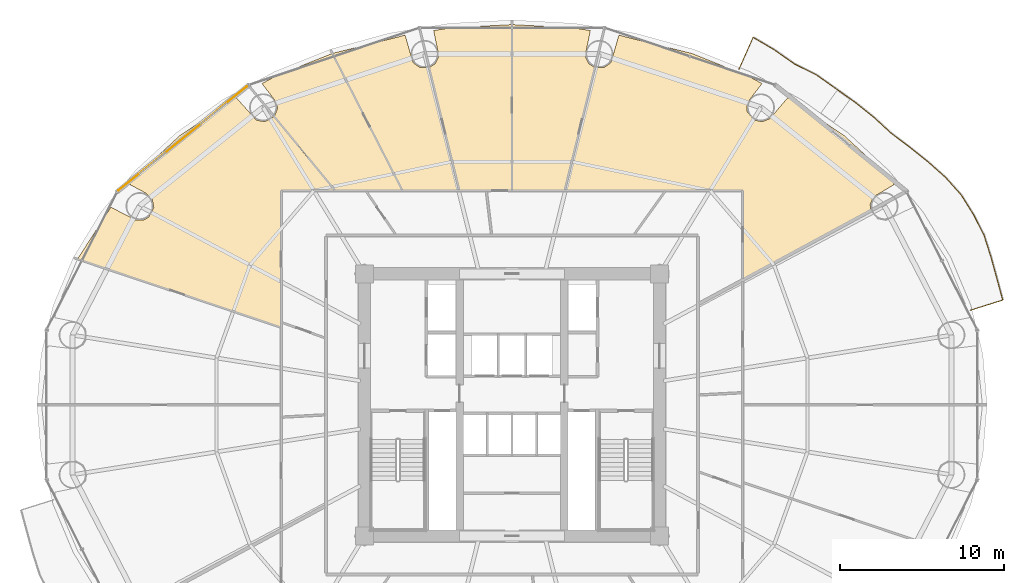
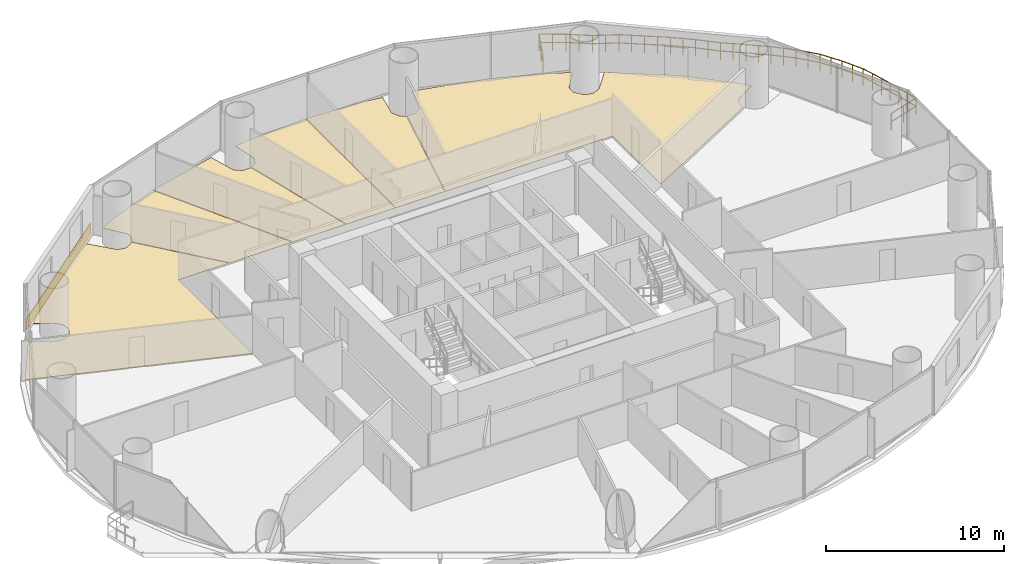
# One storey, part 30 of 30: 7 coverings, 1 railing.
"""IFC4 building model written with IfcOpenShell, lengths in metres."""

import ifcopenshell
import ifcopenshell.guid

model = None  # the IFC model being written
_history = None  # IfcOwnerHistory: only IFC2X3 demands one
_inside = {}  # id of a spatial element -> (the spatial element, [elements in it])
_under = {}  # id of a project, library or spatial element -> (it, [spatial elements below it])
_declared = {}  # id of a project -> (the project, [libraries it declares])
_typed = {}  # id of a type object -> (the type object, [elements of that type])
_made_of = {}  # id of a material, layer set ... -> (it, [elements and type objects made of it])


def new_model(schema):
    """Start an empty IFC model of exactly this schema.

    Asked for "IFC4X3", IfcOpenShell would pick the latest addendum, in which some entities
    have other attributes; the version numbers below select the first issue.
    IFC2X3 requires an IfcOwnerHistory on every rooted entity: one is made here for all.
    """
    global model, _history
    if schema == "IFC4X3":
        model = ifcopenshell.file(schema_version=(4, 3, 0, 0))
    else:
        model = ifcopenshell.file(schema=schema)
    _inside.clear()
    _under.clear()
    _declared.clear()
    _typed.clear()
    _made_of.clear()
    _history = None
    if model.schema == "IFC2X3":
        org = make("IfcOrganization", Name="unknown")
        user = make(
            "IfcPersonAndOrganization",
            ThePerson=make("IfcPerson", FamilyName="unknown"),
            TheOrganization=org,
        )
        app = make(
            "IfcApplication",
            ApplicationDeveloper=org,
            Version="unknown",
            ApplicationFullName="unknown",
            ApplicationIdentifier="unknown",
        )
        _history = make(
            "IfcOwnerHistory",
            OwningUser=user,
            OwningApplication=app,
            ChangeAction="ADDED",
            CreationDate=0,
        )
    return model


def make(cls, **values):
    """One entity of the class cls with the attributes given. An attribute that is None is left unset."""
    return model.create_entity(
        cls, **{name: value for name, value in values.items() if value is not None}
    )


def rooted(cls, **values):
    """An entity with a GlobalId (a new one), such as an element, a storey or a relation."""
    return make(cls, GlobalId=ifcopenshell.guid.new(), OwnerHistory=_history, **values)


def si_unit(unit_type, name, prefix=None):
    """IfcSIUnit, for example si_unit("LENGTHUNIT", "METRE", prefix="MILLI")."""
    return make("IfcSIUnit", UnitType=unit_type, Prefix=prefix, Name=name)


def assignment(units):
    """IfcUnitAssignment: the units of a project."""
    return None if units is None else make("IfcUnitAssignment", Units=units)


def point(xyz):
    """IfcCartesianPoint."""
    return None if xyz is None else make("IfcCartesianPoint", Coordinates=xyz)


def direction(xyz):
    """IfcDirection."""
    return None if xyz is None else make("IfcDirection", DirectionRatios=xyz)


def frame(location, z_axis=None, x_axis=None):
    """IfcAxis2Placement3D, a coordinate frame: its origin and axes. An axis left out is left unset."""
    return make(
        "IfcAxis2Placement3D",
        Location=point(location),
        Axis=direction(z_axis),
        RefDirection=direction(x_axis),
    )


def frame_2d(location, x_axis=None):
    """IfcAxis2Placement2D, a coordinate frame in the plane: its origin and x axis."""
    return make(
        "IfcAxis2Placement2D", Location=point(location), RefDirection=direction(x_axis)
    )


def origin():
    """The frame at (0, 0, 0) with its axes left unset."""
    return frame((0.0, 0.0, 0.0))


def origin_2d():
    """The frame at (0, 0) in the plane with its x axis left unset."""
    return frame_2d((0.0, 0.0))


def place(relative_to, where):
    """IfcLocalPlacement: puts the frame where relative to a parent placement (None: the world)."""
    return make(
        "IfcLocalPlacement", PlacementRelTo=relative_to, RelativePlacement=where
    )


def context(
    kind, dimensions, precision=None, world=None, true_north=None, identifier=None
):
    """IfcGeometricRepresentationContext, for example the 3D "Model" context."""
    return make(
        "IfcGeometricRepresentationContext",
        ContextIdentifier=identifier,
        ContextType=kind,
        CoordinateSpaceDimension=dimensions,
        Precision=precision,
        WorldCoordinateSystem=world,
        TrueNorth=true_north,
    )


def subcontext(parent, identifier, kind, view, scale=None):
    """IfcGeometricRepresentationSubContext, for example "Body" below "Model"."""
    return make(
        "IfcGeometricRepresentationSubContext",
        ContextIdentifier=identifier,
        ContextType=kind,
        ParentContext=parent,
        TargetScale=scale,
        TargetView=view,
    )


def project(units=None, contexts=None):
    """IfcProject with its units and contexts."""
    return rooted(
        "IfcProject",
        Name="project",
        RepresentationContexts=contexts,
        UnitsInContext=assignment(units),
    )


def spatial(cls, under=None, at=None, **own):
    """A site, building, storey or space (cls), placed at a placement, below another one or the project."""
    s = rooted(cls, ObjectPlacement=at, **own)
    if under is not None:
        _under.setdefault(under.id(), (under, []))[1].append(s)
    return s


def polyline(points):
    """IfcPolyline through the points."""
    return make("IfcPolyline", Points=[point(p) for p in points])


def profile(cls, at=None, kind="AREA", **sizes):
    """A parametric profile (cls). Its sizes go by their IFC names, for example OverallWidth=200.0."""
    return make(cls, ProfileType=kind, Position=at, **sizes)


def rectangle(**sizes):
    """IfcRectangleProfileDef."""
    return profile("IfcRectangleProfileDef", **sizes)


def outline(outer, holes=None, kind="AREA"):
    """IfcArbitraryClosedProfileDef: a profile drawn as a closed curve; with holes, ...WithVoids."""
    if holes is None:
        return make("IfcArbitraryClosedProfileDef", ProfileType=kind, OuterCurve=outer)
    return make(
        "IfcArbitraryProfileDefWithVoids",
        ProfileType=kind,
        OuterCurve=outer,
        InnerCurves=holes,
    )


def extrude(swept, where, along, depth):
    """IfcExtrudedAreaSolid: the profile swept, set in the frame where, extruded along a direction by depth."""
    return make(
        "IfcExtrudedAreaSolid",
        SweptArea=swept,
        Position=where,
        ExtrudedDirection=direction(along),
        Depth=depth,
    )


def shape(context_of_items, identifier, shape_type, items):
    """IfcShapeRepresentation: the items that make up one representation, for example the "Body"."""
    return make(
        "IfcShapeRepresentation",
        ContextOfItems=context_of_items,
        RepresentationIdentifier=identifier,
        RepresentationType=shape_type,
        Items=items,
    )


def source(mapping_origin, context_of_items, identifier, shape_type, items):
    """IfcRepresentationMap: a shape defined once, which mapped items show again and again."""
    return make(
        "IfcRepresentationMap",
        MappingOrigin=mapping_origin,
        MappedRepresentation=shape(context_of_items, identifier, shape_type, items),
    )


def transform(
    local_origin,
    x_axis=None,
    y_axis=None,
    z_axis=None,
    scale=None,
    scale2=None,
    scale3=None,
    uniform=True,
):
    """IfcCartesianTransformationOperator3D, or its non-uniform kind. x_axis, y_axis, z_axis: its Axis1, 2, 3."""
    if uniform:
        return make(
            "IfcCartesianTransformationOperator3D",
            Axis1=direction(x_axis),
            Axis2=direction(y_axis),
            LocalOrigin=point(local_origin),
            Scale=scale,
            Axis3=direction(z_axis),
        )
    return make(
        "IfcCartesianTransformationOperator3DnonUniform",
        Axis1=direction(x_axis),
        Axis2=direction(y_axis),
        LocalOrigin=point(local_origin),
        Scale=scale,
        Axis3=direction(z_axis),
        Scale2=scale2,
        Scale3=scale3,
    )


def mapped(mapping_source, mapping_target):
    """IfcMappedItem: shows the shape of a source again, moved by a transform."""
    return make(
        "IfcMappedItem", MappingSource=mapping_source, MappingTarget=mapping_target
    )


def material(Name=None, Category=None):
    """IfcMaterial."""
    return make("IfcMaterial", Name=Name, Category=Category)


def layer(
    of_material, thickness, ventilated=None, Name=None, Category=None, Priority=None
):
    """IfcMaterialLayer: one layer of a wall or slab, of a material (None: an air gap)."""
    return make(
        "IfcMaterialLayer",
        Material=of_material,
        LayerThickness=thickness,
        IsVentilated=ventilated,
        Name=Name,
        Category=Category,
        Priority=Priority,
    )


def layer_set(layers, Name=None):
    """IfcMaterialLayerSet."""
    return make("IfcMaterialLayerSet", MaterialLayers=layers, LayerSetName=Name)


def made_of(thing, what):
    """Note that an element or type object is made of a material, layer set ...; save() writes the relation."""
    if what is not None:
        _made_of.setdefault(what.id(), (what, []))[1].append(thing)
    return thing


def type_object(cls, material=None, **own):
    """A type object (cls), such as IfcWallType, which elements share."""
    return made_of(rooted(cls, **own), material)


def element(
    cls,
    number,
    at=None,
    inside=None,
    cuts=None,
    type_object=None,
    material=None,
    context=None,
    identifier="Body",
    shape_type=None,
    held_by="IfcProductDefinitionShape",
    body=None,
    shapes=None,
    **own,
):
    """One element of the class cls, such as IfcWall. Its Tag is "e" and its number.

    at: its placement. inside: the storey or other place that contains it. cuts: it is an
    opening in that element (IfcRelVoidsElement). A single representation is given by context,
    identifier, shape_type and body (its items); several are given by shapes. held_by: the class
    of the entity that holds the representations. save() writes the other relations.
    """
    e = rooted(cls, Tag="e%d" % number, ObjectPlacement=at, **own)
    if body is not None:
        shapes = [shape(context, identifier, shape_type, body)]
    if shapes is not None:
        e.Representation = make(held_by, Representations=shapes)
    if inside is not None:
        _inside.setdefault(inside.id(), (inside, []))[1].append(e)
    if cuts is not None:
        rooted(
            "IfcRelVoidsElement", RelatingBuildingElement=cuts, RelatedOpeningElement=e
        )
    if type_object is not None:
        _typed.setdefault(type_object.id(), (type_object, []))[1].append(e)
    return made_of(e, material)


def aggregate(whole, parts):
    """IfcRelAggregates: a whole, such as a stair, and the parts it consists of."""
    return rooted("IfcRelAggregates", RelatingObject=whole, RelatedObjects=parts)


def save(model, path):
    """Write the relations noted so far, then the file.

    IfcRelAggregates (storeys below a building ...), IfcRelContainedInSpatialStructure (elements
    in a storey), IfcRelDefinesByType, IfcRelAssociatesMaterial and IfcRelDeclares: one each for
    every whole, place, type object, material and project.
    """
    for whole, parts in _under.values():
        aggregate(whole, parts)
    for where, things in _inside.values():
        rooted(
            "IfcRelContainedInSpatialStructure",
            RelatedElements=things,
            RelatingStructure=where,
        )
    for kind, things in _typed.values():
        rooted("IfcRelDefinesByType", RelatedObjects=things, RelatingType=kind)
    for what, things in _made_of.values():
        rooted("IfcRelAssociatesMaterial", RelatedObjects=things, RelatingMaterial=what)
    for by, libraries in _declared.values():
        rooted("IfcRelDeclares", RelatingContext=by, RelatedDefinitions=libraries)
    model.write(path)


model = new_model("IFC4")

# Units and contexts
model_context = context("Model", 3, precision=1e-05, world=origin(), true_north=direction((-0.2419218956, 0.970295726276)))
body_context = subcontext(model_context, "Body", "Model", "MODEL_VIEW")
ifc_project = project(units=[si_unit("LENGTHUNIT", "METRE"), si_unit("AREAUNIT", "SQUARE_METRE"), si_unit("VOLUMEUNIT", "CUBIC_METRE"), si_unit("PLANEANGLEUNIT", "RADIAN"), si_unit("MASSUNIT", "GRAM", prefix="KILO")], contexts=[model_context])

# Site, building, storey
site_placement = place(None, origin())
site = spatial("IfcSite", under=ifc_project, at=site_placement, CompositionType="ELEMENT")
building_placement = place(site_placement, origin())
building = spatial("IfcBuilding", under=site, at=building_placement, Name="Cobrevalo Terracotta Tower", CompositionType="ELEMENT")
storey_placement = place(building_placement, frame((0.0, 0.0, 60.0)))
storey = spatial("IfcBuildingStorey", under=building, at=storey_placement, Name="L15", CompositionType="ELEMENT", Elevation=60.0)

# Railing
ifc_material_1 = material(Name="Laminated structural glass and stainless steel", Category="steel")
railing_type = type_object("IfcRailingType", Name="Balcony lobe structural glass & terracotta-cap balustrade 1180 mm", PredefinedType="BALUSTRADE", material=ifc_material_1)
railing_placement = place(storey_placement, frame((65.992919921875, 32.581787109375, 0.0)))
element("IfcRailing", 1, at=railing_placement, inside=storey, type_object=railing_type, Name="L15 spiralling balcony lobe balustrade 1", PredefinedType="BALUSTRADE", context=body_context, shape_type="SweptSolid", body=[
    extrude(rectangle(XDim=0.048095703125, YDim=0.048095703125, at=origin_2d()), frame((0.0, 0.0, 1.15576171875), z_axis=(0.954027609324, 0.299718735898, 0.0), x_axis=(-0.299718735898, 0.954027609324, 0.0)), (0.0, 0.0, 1.0), 2.06005859375),
    extrude(rectangle(XDim=0.048095703125, YDim=0.048095703125, at=origin_2d()), frame((0.0, 0.0, 0.58984375), z_axis=(0.954027609324, 0.299718735898, 0.0), x_axis=(-0.299718735898, 0.954027609324, 0.0)), (0.0, 0.0, 1.0), 2.06005859375),
    extrude(rectangle(XDim=0.048095703125, YDim=0.048095703125, at=origin_2d()), frame((1.96533203125, 0.617431640625, 1.15576171875), z_axis=(-0.260147670261, 0.965568842526, 0.0), x_axis=(-0.965568842526, -0.260147670261, 0.0)), (0.0, 0.0, 1.0), 1.35693359375),
    extrude(rectangle(XDim=0.048095703125, YDim=0.048095703125, at=origin_2d()), frame((1.96533203125, 0.617431640625, 0.58984375), z_axis=(-0.260147670261, 0.965568842526, 0.0), x_axis=(-0.965568842526, -0.260147670261, 0.0)), (0.0, 0.0, 1.0), 1.35693359375),
    extrude(rectangle(XDim=0.048095703125, YDim=0.048095703125, at=origin_2d()), frame((1.6123046875, 1.927734375, 1.15576171875), z_axis=(-0.265452617537, 0.964123906893, 0.0), x_axis=(-0.964123906893, -0.265452617537, 0.0)), (0.0, 0.0, 1.0), 1.379638671875),
    extrude(rectangle(XDim=0.048095703125, YDim=0.048095703125, at=origin_2d()), frame((1.6123046875, 1.927734375, 0.58984375), z_axis=(-0.265452617537, 0.964123906893, 0.0), x_axis=(-0.964123906893, -0.265452617537, 0.0)), (0.0, 0.0, 1.0), 1.379638671875),
    extrude(rectangle(XDim=0.048095703125, YDim=0.048095703125, at=origin_2d()), frame((1.24609375, 3.2578125, 1.15576171875), z_axis=(-0.303543235767, 0.952817665674, 0.0), x_axis=(-0.952817665674, -0.303543235767, 0.0)), (0.0, 0.0, 1.0), 1.394775390625),
    extrude(rectangle(XDim=0.048095703125, YDim=0.048095703125, at=origin_2d()), frame((1.24609375, 3.2578125, 0.58984375), z_axis=(-0.303543235767, 0.952817665674, 0.0), x_axis=(-0.952817665674, -0.303543235767, 0.0)), (0.0, 0.0, 1.0), 1.394775390625),
    extrude(rectangle(XDim=0.048095703125, YDim=0.048095703125, at=origin_2d()), frame((0.82275390625, 4.586669921875, 1.15576171875), z_axis=(-0.456538067647, 0.889703879271, 0.0), x_axis=(-0.889703879271, -0.456538067647, 0.0)), (0.0, 0.0, 1.0), 1.41015625),
    extrude(rectangle(XDim=0.048095703125, YDim=0.048095703125, at=origin_2d()), frame((0.82275390625, 4.586669921875, 0.58984375), z_axis=(-0.456538067647, 0.889703879271, 0.0), x_axis=(-0.889703879271, -0.456538067647, 0.0)), (0.0, 0.0, 1.0), 1.41015625),
    extrude(rectangle(XDim=0.048095703125, YDim=0.048095703125, at=origin_2d()), frame((0.178955078125, 5.84130859375, 1.15576171875), z_axis=(-0.529017647182, 0.848610823034, 0.0), x_axis=(-0.848610823034, -0.529017647182, 0.0)), (0.0, 0.0, 1.0), 1.409423828125),
    extrude(rectangle(XDim=0.048095703125, YDim=0.048095703125, at=origin_2d()), frame((0.178955078125, 5.84130859375, 0.58984375), z_axis=(-0.529017647182, 0.848610823034, 0.0), x_axis=(-0.848610823034, -0.529017647182, 0.0)), (0.0, 0.0, 1.0), 1.409423828125),
    extrude(rectangle(XDim=0.048095703125, YDim=0.048095703125, at=origin_2d()), frame((-0.566650390625, 7.037353515625, 1.15576171875), z_axis=(-0.666535107787, 0.745473641444, 0.0), x_axis=(-0.745473641444, -0.666535107787, 0.0)), (0.0, 0.0, 1.0), 1.428955078125),
    extrude(rectangle(XDim=0.048095703125, YDim=0.048095703125, at=origin_2d()), frame((-0.566650390625, 7.037353515625, 0.58984375), z_axis=(-0.666535107787, 0.745473641444, 0.0), x_axis=(-0.745473641444, -0.666535107787, 0.0)), (0.0, 0.0, 1.0), 1.428955078125),
    extrude(rectangle(XDim=0.048095703125, YDim=0.048095703125, at=origin_2d()), frame((-1.51904296875, 8.1025390625, 1.15576171875), z_axis=(-0.746886054344, 0.664952044756, 0.0), x_axis=(-0.664952044756, -0.746886054344, 0.0)), (0.0, 0.0, 1.0), 1.442138671875),
    extrude(rectangle(XDim=0.048095703125, YDim=0.048095703125, at=origin_2d()), frame((-1.51904296875, 8.1025390625, 0.58984375), z_axis=(-0.746886054344, 0.664952044756, 0.0), x_axis=(-0.664952044756, -0.746886054344, 0.0)), (0.0, 0.0, 1.0), 1.442138671875),
    extrude(rectangle(XDim=0.048095703125, YDim=0.048095703125, at=origin_2d()), frame((-2.59619140625, 9.0615234375, 1.15576171875), z_axis=(-0.78115234756, 0.624340459926, 0.0), x_axis=(-0.624340459926, -0.78115234756, 0.0)), (0.0, 0.0, 1.0), 1.427734375),
    extrude(rectangle(XDim=0.048095703125, YDim=0.048095703125, at=origin_2d()), frame((-2.59619140625, 9.0615234375, 0.58984375), z_axis=(-0.78115234756, 0.624340459926, 0.0), x_axis=(-0.624340459926, -0.78115234756, 0.0)), (0.0, 0.0, 1.0), 1.427734375),
    extrude(rectangle(XDim=0.048095703125, YDim=0.048095703125, at=origin_2d()), frame((-3.71142578125, 9.952880859375, 1.15576171875), z_axis=(-0.797903497933, 0.602785208831, 0.0), x_axis=(-0.602785208831, -0.797903497933, 0.0)), (0.0, 0.0, 1.0), 1.442626953125),
    extrude(rectangle(XDim=0.048095703125, YDim=0.048095703125, at=origin_2d()), frame((-3.71142578125, 9.952880859375, 0.58984375), z_axis=(-0.797903497933, 0.602785208831, 0.0), x_axis=(-0.602785208831, -0.797903497933, 0.0)), (0.0, 0.0, 1.0), 1.442626953125),
    extrude(rectangle(XDim=0.048095703125, YDim=0.048095703125, at=origin_2d()), frame((-4.862548828125, 10.822509765625, 1.15576171875), z_axis=(-0.735558589309, 0.677461114525, 0.0), x_axis=(-0.677461114525, -0.735558589309, 0.0)), (0.0, 0.0, 1.0), 1.424560546875),
    extrude(rectangle(XDim=0.048095703125, YDim=0.048095703125, at=origin_2d()), frame((-4.862548828125, 10.822509765625, 0.58984375), z_axis=(-0.735558589309, 0.677461114525, 0.0), x_axis=(-0.677461114525, -0.735558589309, 0.0)), (0.0, 0.0, 1.0), 1.424560546875),
    extrude(rectangle(XDim=0.048095703125, YDim=0.048095703125, at=origin_2d()), frame((-5.910400390625, 11.78759765625, 1.15576171875), z_axis=(-0.781083793107, 0.624426223141, 0.0), x_axis=(-0.624426223141, -0.781083793107, 0.0)), (0.0, 0.0, 1.0), 1.43994140625),
    extrude(rectangle(XDim=0.048095703125, YDim=0.048095703125, at=origin_2d()), frame((-5.910400390625, 11.78759765625, 0.58984375), z_axis=(-0.781083793107, 0.624426223141, 0.0), x_axis=(-0.624426223141, -0.781083793107, 0.0)), (0.0, 0.0, 1.0), 1.43994140625),
    extrude(rectangle(XDim=0.048095703125, YDim=0.048095703125, at=origin_2d()), frame((-7.03515625, 12.686767578125, 1.15576171875), z_axis=(-0.815022146155, 0.579429807032, 0.0), x_axis=(-0.579429807032, -0.815022146155, 0.0)), (0.0, 0.0, 1.0), 1.45703125),
    extrude(rectangle(XDim=0.048095703125, YDim=0.048095703125, at=origin_2d()), frame((-7.03515625, 12.686767578125, 0.58984375), z_axis=(-0.815022146155, 0.579429807032, 0.0), x_axis=(-0.579429807032, -0.815022146155, 0.0)), (0.0, 0.0, 1.0), 1.45703125),
    extrude(rectangle(XDim=0.048095703125, YDim=0.048095703125, at=origin_2d()), frame((-8.22265625, 13.531005859375, 1.15576171875), z_axis=(-0.816749265381, 0.57699275342, 0.0), x_axis=(-0.57699275342, -0.816749265381, 0.0)), (0.0, 0.0, 1.0), 1.455078125),
    extrude(rectangle(XDim=0.048095703125, YDim=0.048095703125, at=origin_2d()), frame((-8.22265625, 13.531005859375, 0.58984375), z_axis=(-0.816749265381, 0.57699275342, 0.0), x_axis=(-0.57699275342, -0.816749265381, 0.0)), (0.0, 0.0, 1.0), 1.455078125),
    extrude(rectangle(XDim=0.048095703125, YDim=0.048095703125, at=origin_2d()), frame((-9.4111328125, 14.37060546875, 1.15576171875), z_axis=(-0.895343271296, 0.445376724297, 0.0), x_axis=(-0.445376724297, -0.895343271296, 0.0)), (0.0, 0.0, 1.0), 1.4892578125),
    extrude(rectangle(XDim=0.048095703125, YDim=0.048095703125, at=origin_2d()), frame((-9.4111328125, 14.37060546875, 0.58984375), z_axis=(-0.895343271296, 0.445376724297, 0.0), x_axis=(-0.445376724297, -0.895343271296, 0.0)), (0.0, 0.0, 1.0), 1.4892578125),
    extrude(rectangle(XDim=0.048095703125, YDim=0.048095703125, at=origin_2d()), frame((-10.74462890625, 15.033935546875, 1.15576171875), z_axis=(-0.81819790727, 0.574936678721, 0.0), x_axis=(-0.574936678721, -0.81819790727, 0.0)), (0.0, 0.0, 1.0), 1.49951171875),
    extrude(rectangle(XDim=0.048095703125, YDim=0.048095703125, at=origin_2d()), frame((-10.74462890625, 15.033935546875, 0.58984375), z_axis=(-0.81819790727, 0.574936678721, 0.0), x_axis=(-0.574936678721, -0.81819790727, 0.0)), (0.0, 0.0, 1.0), 1.49951171875),
    extrude(rectangle(XDim=0.048095703125, YDim=0.048095703125, at=origin_2d()), frame((-11.971435546875, 15.89599609375, 1.15576171875), z_axis=(-0.862515497431, 0.506030647977, 0.0), x_axis=(-0.506030647977, -0.862515497431, 0.0)), (0.0, 0.0, 1.0), 1.510009765625),
    extrude(rectangle(XDim=0.048095703125, YDim=0.048095703125, at=origin_2d()), frame((-11.971435546875, 15.89599609375, 0.58984375), z_axis=(-0.862515497431, 0.506030647977, 0.0), x_axis=(-0.506030647977, -0.862515497431, 0.0)), (0.0, 0.0, 1.0), 1.510009765625),
    extrude(rectangle(XDim=0.048095703125, YDim=0.048095703125, at=origin_2d()), frame((-13.27392578125, 16.66015625, 1.15576171875), z_axis=(-0.406063391556, -0.91384491137, 0.0), x_axis=(0.91384491137, -0.406063391556, 0.0)), (0.0, 0.0, 1.0), 2.112060546875),
    extrude(rectangle(XDim=0.048095703125, YDim=0.048095703125, at=origin_2d()), frame((-13.27392578125, 16.66015625, 0.58984375), z_axis=(-0.406063391556, -0.91384491137, 0.0), x_axis=(0.91384491137, -0.406063391556, 0.0)), (0.0, 0.0, 1.0), 2.112060546875),
    extrude(rectangle(XDim=0.0419921875, YDim=0.0419921875, at=origin_2d()), origin(), (0.0, 0.0, 1.0), 1.1318359375),
    extrude(rectangle(XDim=0.0419921875, YDim=0.0419921875, at=origin_2d()), frame((0.982666015625, 0.30859375, 0.0)), (0.0, 0.0, 1.0), 1.1318359375),
    extrude(rectangle(XDim=0.0419921875, YDim=0.0419921875, at=origin_2d()), frame((1.96533203125, 0.617431640625, 0.0)), (0.0, 0.0, 1.0), 1.1318359375),
    extrude(rectangle(XDim=0.0419921875, YDim=0.0419921875, at=origin_2d()), frame((1.788818359375, 1.2724609375, 0.0)), (0.0, 0.0, 1.0), 1.1318359375),
    extrude(rectangle(XDim=0.0419921875, YDim=0.0419921875, at=origin_2d()), frame((1.6123046875, 1.927734375, 0.0)), (0.0, 0.0, 1.0), 1.1318359375),
    extrude(rectangle(XDim=0.0419921875, YDim=0.0419921875, at=origin_2d()), frame((1.42919921875, 2.5927734375, 0.0)), (0.0, 0.0, 1.0), 1.1318359375),
    extrude(rectangle(XDim=0.0419921875, YDim=0.0419921875, at=origin_2d()), frame((1.24609375, 3.2578125, 0.0)), (0.0, 0.0, 1.0), 1.1318359375),
    extrude(rectangle(XDim=0.0419921875, YDim=0.0419921875, at=origin_2d()), frame((1.034423828125, 3.92236328125, 0.0)), (0.0, 0.0, 1.0), 1.1318359375),
    extrude(rectangle(XDim=0.0419921875, YDim=0.0419921875, at=origin_2d()), frame((0.82275390625, 4.586669921875, 0.0)), (0.0, 0.0, 1.0), 1.1318359375),
    extrude(rectangle(XDim=0.0419921875, YDim=0.0419921875, at=origin_2d()), frame((0.5009765625, 5.2138671875, 0.0)), (0.0, 0.0, 1.0), 1.1318359375),
    extrude(rectangle(XDim=0.0419921875, YDim=0.0419921875, at=origin_2d()), frame((0.178955078125, 5.84130859375, 0.0)), (0.0, 0.0, 1.0), 1.1318359375),
    extrude(rectangle(XDim=0.0419921875, YDim=0.0419921875, at=origin_2d()), frame((-0.19384765625, 6.439453125, 0.0)), (0.0, 0.0, 1.0), 1.1318359375),
    extrude(rectangle(XDim=0.0419921875, YDim=0.0419921875, at=origin_2d()), frame((-0.566650390625, 7.037353515625, 0.0)), (0.0, 0.0, 1.0), 1.1318359375),
    extrude(rectangle(XDim=0.0419921875, YDim=0.0419921875, at=origin_2d()), frame((-1.04296875, 7.56982421875, 0.0)), (0.0, 0.0, 1.0), 1.1318359375),
    extrude(rectangle(XDim=0.0419921875, YDim=0.0419921875, at=origin_2d()), frame((-1.51904296875, 8.1025390625, 0.0)), (0.0, 0.0, 1.0), 1.1318359375),
    extrude(rectangle(XDim=0.0419921875, YDim=0.0419921875, at=origin_2d()), frame((-2.0576171875, 8.58203125, 0.0)), (0.0, 0.0, 1.0), 1.1318359375),
    extrude(rectangle(XDim=0.0419921875, YDim=0.0419921875, at=origin_2d()), frame((-2.59619140625, 9.0615234375, 0.0)), (0.0, 0.0, 1.0), 1.1318359375),
    extrude(rectangle(XDim=0.0419921875, YDim=0.0419921875, at=origin_2d()), frame((-3.15380859375, 9.50732421875, 0.0)), (0.0, 0.0, 1.0), 1.1318359375),
    extrude(rectangle(XDim=0.0419921875, YDim=0.0419921875, at=origin_2d()), frame((-3.71142578125, 9.952880859375, 0.0)), (0.0, 0.0, 1.0), 1.1318359375),
    extrude(rectangle(XDim=0.0419921875, YDim=0.0419921875, at=origin_2d()), frame((-4.287109375, 10.3876953125, 0.0)), (0.0, 0.0, 1.0), 1.1318359375),
    extrude(rectangle(XDim=0.0419921875, YDim=0.0419921875, at=origin_2d()), frame((-4.862548828125, 10.822509765625, 0.0)), (0.0, 0.0, 1.0), 1.1318359375),
    extrude(rectangle(XDim=0.0419921875, YDim=0.0419921875, at=origin_2d()), frame((-5.386474609375, 11.30517578125, 0.0)), (0.0, 0.0, 1.0), 1.1318359375),
    extrude(rectangle(XDim=0.0419921875, YDim=0.0419921875, at=origin_2d()), frame((-5.910400390625, 11.78759765625, 0.0)), (0.0, 0.0, 1.0), 1.1318359375),
    extrude(rectangle(XDim=0.0419921875, YDim=0.0419921875, at=origin_2d()), frame((-6.47265625, 12.2373046875, 0.0)), (0.0, 0.0, 1.0), 1.1318359375),
    extrude(rectangle(XDim=0.0419921875, YDim=0.0419921875, at=origin_2d()), frame((-7.03515625, 12.686767578125, 0.0)), (0.0, 0.0, 1.0), 1.1318359375),
    extrude(rectangle(XDim=0.0419921875, YDim=0.0419921875, at=origin_2d()), frame((-7.62890625, 13.10888671875, 0.0)), (0.0, 0.0, 1.0), 1.1318359375),
    extrude(rectangle(XDim=0.0419921875, YDim=0.0419921875, at=origin_2d()), frame((-8.22265625, 13.531005859375, 0.0)), (0.0, 0.0, 1.0), 1.1318359375),
    extrude(rectangle(XDim=0.0419921875, YDim=0.0419921875, at=origin_2d()), frame((-8.81689453125, 13.95068359375, 0.0)), (0.0, 0.0, 1.0), 1.1318359375),
    extrude(rectangle(XDim=0.0419921875, YDim=0.0419921875, at=origin_2d()), frame((-9.4111328125, 14.37060546875, 0.0)), (0.0, 0.0, 1.0), 1.1318359375),
    extrude(rectangle(XDim=0.0419921875, YDim=0.0419921875, at=origin_2d()), frame((-10.077880859375, 14.7021484375, 0.0)), (0.0, 0.0, 1.0), 1.1318359375),
    extrude(rectangle(XDim=0.0419921875, YDim=0.0419921875, at=origin_2d()), frame((-10.74462890625, 15.033935546875, 0.0)), (0.0, 0.0, 1.0), 1.1318359375),
    extrude(rectangle(XDim=0.0419921875, YDim=0.0419921875, at=origin_2d()), frame((-11.35791015625, 15.46484375, 0.0)), (0.0, 0.0, 1.0), 1.1318359375),
    extrude(rectangle(XDim=0.0419921875, YDim=0.0419921875, at=origin_2d()), frame((-11.971435546875, 15.89599609375, 0.0)), (0.0, 0.0, 1.0), 1.1318359375),
    extrude(rectangle(XDim=0.0419921875, YDim=0.0419921875, at=origin_2d()), frame((-12.62255859375, 16.278076171875, 0.0)), (0.0, 0.0, 1.0), 1.1318359375),
    extrude(rectangle(XDim=0.0419921875, YDim=0.0419921875, at=origin_2d()), frame((-13.27392578125, 16.66015625, 0.0)), (0.0, 0.0, 1.0), 1.1318359375),
    extrude(rectangle(XDim=0.0419921875, YDim=0.0419921875, at=origin_2d()), frame((-13.70263671875, 15.695068359375, 0.0)), (0.0, 0.0, 1.0), 1.1318359375),
    extrude(rectangle(XDim=0.0419921875, YDim=0.0419921875, at=origin_2d()), frame((-14.131591796875, 14.72998046875, 0.0)), (0.0, 0.0, 1.0), 1.1318359375),
])

# Coverings
ifc_material_2 = material(Name="Engineered Brazilian hardwood flooring", Category="wood")
ifc_layer_1 = layer(ifc_material_2, 0.028076171875)
ifc_layer_set_1 = layer_set([ifc_layer_1], Name="Engineered Brazilian hardwood flooring")
covering_type_1 = type_object("IfcCoveringType", Name="Engineered Hardwood Suite Flooring 28", PredefinedType="FLOORING", material=ifc_layer_set_1)
covering_1_placement = place(storey_placement, origin())
element("IfcCovering", 2, at=covering_1_placement, inside=storey, type_object=covering_type_1, Name="Flat L15A Penthouse Living and Dining Room floor finish", PredefinedType="FLOORING", context=body_context, shape_type="SweptSolid", body=[
    extrude(outline(polyline([(48.991943359375, 48.251953125), (52.361572265625, 46.908203125), (53.26318359375, 46.421142578125), (52.35498046875, 45.23095703125), (52.350341796875, 44.719970703125), (52.772705078125, 44.1953125), (53.27294921875, 44.091064453125), (53.746826171875, 44.2822265625), (54.843505859375, 45.567138671875), (58.3095703125, 43.217529296875), (60.786376953125, 40.933837890625), (61.34423828125, 40.2587890625), (60.060791015625, 39.497802734375), (59.864990234375, 39.02587890625), (59.90234375, 38.681884765625), (52.10498046875, 34.4599609375), (52.10498046875, 39.905029296875), (41.237548828125, 39.905029296875), (43.075439453125, 47.39306640625), (43.63330078125, 47.40185546875), (44.04345703125, 47.706787109375), (44.527587890625, 49.37451171875), (48.991943359375, 48.251953125)])), origin(), (0.0, 0.0, 1.0), 0.030029296875),
])
covering_2_placement = place(storey_placement, origin())
element("IfcCovering", 3, at=covering_2_placement, inside=storey, type_object=covering_type_1, Name="Flat L15A Master Bedroom floor finish", PredefinedType="FLOORING", context=body_context, shape_type="SweptSolid", body=[
    extrude(outline(polyline([(42.78369140625, 49.65478515625), (42.46533203125, 48.099853515625), (42.6845703125, 47.63818359375), (43.03759765625, 47.406494140625), (41.1962890625, 39.905029296875), (38.02001953125, 39.905029296875), (38.02001953125, 50.018798828125), (41.749267578125, 49.8212890625), (42.78369140625, 49.65478515625)])), origin(), (0.0, 0.0, 1.0), 0.030029296875),
])
covering_3_placement = place(storey_placement, origin())
element("IfcCovering", 4, at=covering_3_placement, inside=storey, type_object=covering_type_1, Name="Flat L15A Principal Guest Bedroom floor finish", PredefinedType="FLOORING", context=body_context, shape_type="SweptSolid", body=[
    extrude(outline(polyline([(37.97998046875, 50.018798828125), (37.97998046875, 39.905029296875), (34.8037109375, 39.905029296875), (32.96240234375, 47.406494140625), (33.3154296875, 47.63818359375), (33.53466796875, 48.099853515625), (33.21630859375, 49.65478515625), (34.250732421875, 49.8212890625), (37.97998046875, 50.018798828125)])), origin(), (0.0, 0.0, 1.0), 0.030029296875),
])
covering_4_placement = place(storey_placement, origin())
element("IfcCovering", 5, at=covering_4_placement, inside=storey, type_object=covering_type_1, Name="Flat L15A Principal Guest Bedroom floor finish", PredefinedType="FLOORING", context=body_context, shape_type="SweptSolid", body=[
    extrude(outline(polyline([(31.472412109375, 49.37451171875), (31.95654296875, 47.706787109375), (32.36669921875, 47.40185546875), (32.924560546875, 47.39306640625), (34.762451171875, 39.905029296875), (31.32373046875, 39.905029296875), (27.051025390625, 48.263671875), (31.472412109375, 49.37451171875)])), origin(), (0.0, 0.0, 1.0), 0.030029296875),
])
covering_5_placement = place(storey_placement, origin())
element("IfcCovering", 6, at=covering_5_placement, inside=storey, type_object=covering_type_1, Name="Flat L15A Principal Guest Bedroom floor finish", PredefinedType="FLOORING", context=body_context, shape_type="SweptSolid", body=[
    extrude(outline(polyline([(23.4951171875, 44.42236328125), (23.681884765625, 44.889404296875), (23.64501953125, 45.23095703125), (22.73681640625, 46.421142578125), (23.638427734375, 46.908203125), (27.0126953125, 48.251220703125), (31.27880859375, 39.905029296875), (27.219970703125, 39.905029296875), (23.4951171875, 44.42236328125)])), origin(), (0.0, 0.0, 1.0), 0.030029296875),
])
covering_6_placement = place(storey_placement, origin())
element("IfcCovering", 7, at=covering_6_placement, inside=storey, type_object=covering_type_1, Name="Flat L15A Penthouse Family Lounge floor finish", PredefinedType="FLOORING", context=body_context, shape_type="SweptSolid", body=[
    extrude(outline(polyline([(13.511962890625, 38.87451171875), (15.00439453125, 38.096923828125), (15.51513671875, 38.09716796875), (15.818115234375, 38.25927734375), (16.13525390625, 38.853515625), (16.03515625, 39.3544921875), (15.674560546875, 39.715087890625), (14.65576171875, 40.2587890625), (15.213623046875, 40.933837890625), (17.6904296875, 43.217529296875), (21.156494140625, 45.567138671875), (22.3974609375, 44.1875), (22.899658203125, 44.092529296875), (23.468017578125, 44.392578125), (27.168212890625, 39.905029296875), (23.89501953125, 39.905029296875), (23.89501953125, 31.555419921875), (11.4873046875, 35.72021484375), (13.511962890625, 38.87451171875)])), origin(), (0.0, 0.0, 1.0), 0.030029296875),
])
ifc_material_3 = material(Name="Glazed terracotta facade cladding tile", Category="masonry")
ifc_layer_2 = layer(ifc_material_3, 0.044921875)
ifc_layer_set_2 = layer_set([ifc_layer_2], Name="Glazed terracotta facade cladding tile")
covering_type_2 = type_object("IfcCoveringType", Name="Architectural terracotta rainscreen spandrel cladding 45 mm", PredefinedType="CLADDING", material=ifc_layer_set_2)
shared_shape = source(origin(), body_context, "Body", "SweptSolid", [
    extrude(rectangle(XDim=10.086669921875, YDim=0.044921875, at=origin_2d()), origin(), (0.0, 0.0, 1.0), 0.760009765625),
])
covering_7_placement = place(storey_placement, frame((17.90869140625, 43.076904296875, 0.0400390625), z_axis=(0.0, 0.0, 1.0), x_axis=(-0.777007547884, -0.629491279154, 0.0)))
element("IfcCovering", 8, at=covering_7_placement, inside=storey, type_object=covering_type_2, Name="L15 terracotta spandrel cladding S06", PredefinedType="CLADDING", context=body_context, shape_type="MappedRepresentation", body=[
    mapped(shared_shape, transform((0.0, 0.0, 0.0), scale=1.0)),
])

save(model, "model.ifc")
